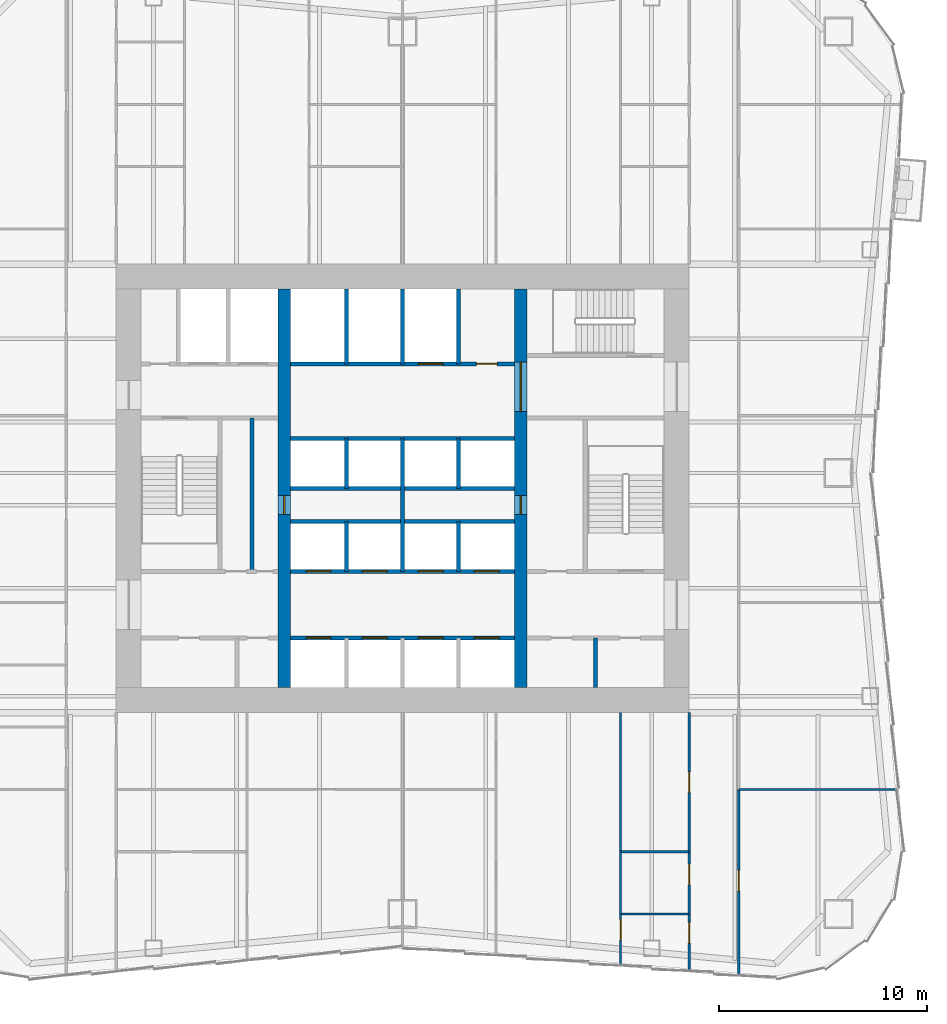
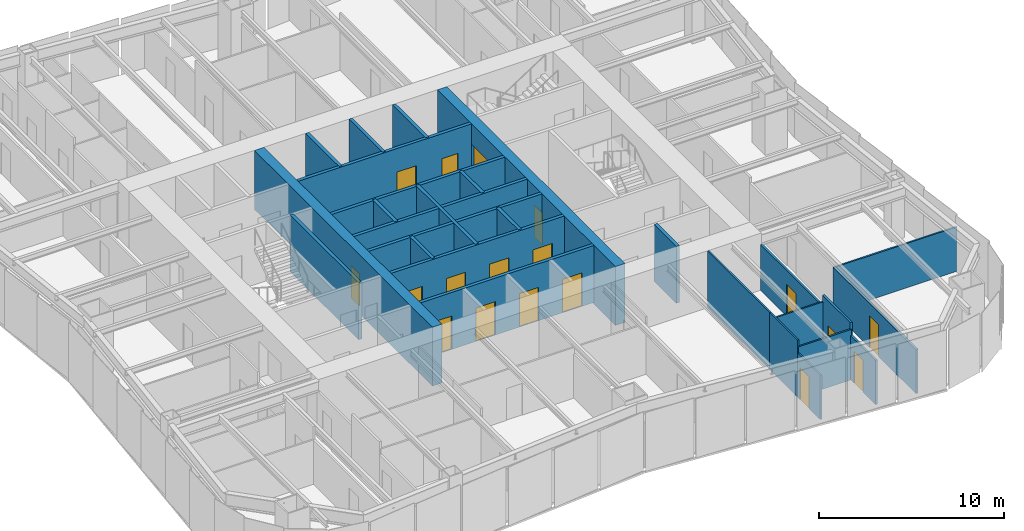
# One storey, part 5 of 9: 28 walls, 18 doors, 18 openings.
"""IFC4 building model written with IfcOpenShell, lengths in metres."""

from ifc_helpers import new_model, si_unit, direction, frame, frame_2d, origin, place, context, subcontext, project, spatial, rectangle, extrude, material, layer, layer_set, type_object, element, fill, save


model = new_model("IFC4")

# Units and contexts
model_context = context("Model", 3, precision=1e-05, world=origin(), true_north=direction((0.0, 1.0)))
body_context = subcontext(model_context, "Body", "Model", "MODEL_VIEW")
ifc_project = project(units=[si_unit("LENGTHUNIT", "METRE"), si_unit("AREAUNIT", "SQUARE_METRE"), si_unit("VOLUMEUNIT", "CUBIC_METRE"), si_unit("PLANEANGLEUNIT", "RADIAN"), si_unit("MASSUNIT", "GRAM", prefix="KILO")], contexts=[model_context])

# Site, building, storey
site_placement = place(None, origin())
site = spatial("IfcSite", under=ifc_project, at=site_placement, CompositionType="ELEMENT")
building_placement = place(site_placement, origin())
building = spatial("IfcBuilding", under=site, at=building_placement, Name="Verdant Reach Tower", CompositionType="ELEMENT")
storey_placement = place(building_placement, frame((0.0, 0.0, 110.0)))
storey = spatial("IfcBuildingStorey", under=building, at=storey_placement, Name="L25", CompositionType="ELEMENT", Elevation=110.0)

# Walls
ifc_material_1 = material(Name="Gypsum board on steel studs", Category="steel")
ifc_layer_1 = layer(ifc_material_1, 0.199951171875)
ifc_layer_set_1 = layer_set([ifc_layer_1], Name="CO-WALL-ROOM")
wall_type_1 = type_object("IfcWallType", Name="CO-WALL-ROOM", PredefinedType="PARTITIONING", material=ifc_layer_set_1)
wall_1_placement = place(storey_placement, frame((-7.260009765625, 24.0, 0.0), z_axis=(0.0, 0.0, 1.0), x_axis=(0.0, 1.0, 0.0)))
element("IfcWall", 1, at=wall_1_placement, inside=storey, type_object=wall_type_1, Name="Core partition, L25", PredefinedType="PARTITIONING", context=body_context, shape_type="SweptSolid", body=[
    extrude(rectangle(XDim=7.39990234375, YDim=0.199951171875, at=frame_2d((3.699951171875, 0.0))), origin(), (0.0, 0.0, 1.0), 3.75),
])
wall_2_placement = place(storey_placement, frame((9.300048828125, 18.39990234375, 0.0), z_axis=(0.0, 0.0, 1.0), x_axis=(0.0, 1.0, 0.0)))
element("IfcWall", 2, at=wall_2_placement, inside=storey, type_object=wall_type_1, Name="Core partition, L25", PredefinedType="PARTITIONING", context=body_context, shape_type="SweptSolid", body=[
    extrude(rectangle(XDim=2.400146484375, YDim=0.199951171875, at=frame_2d((1.2001953125, 0.0))), origin(), (0.0, 0.0, 1.0), 3.75),
])

# Wall, openings, doors
ifc_material_2 = material(Name="Concrete C40/50", Category="concrete")
ifc_layer_2 = layer(ifc_material_2, 0.199951171875)
ifc_layer_set_2 = layer_set([ifc_layer_2], Name="CO-WALL-SHAFT")
wall_type_2 = type_object("IfcWallType", Name="CO-WALL-SHAFT", PredefinedType="PARTITIONING", material=ifc_layer_set_2)
wall_3_placement = place(storey_placement, frame((-5.39990234375, 20.800048828125, 0.0), z_axis=(0.0, 0.0, 1.0), x_axis=(1.0, 0.0, 0.0)))
wall_3 = element("IfcWall", 3, at=wall_3_placement, inside=storey, type_object=wall_type_2, Name="Lift shaft wall, L25", PredefinedType="PARTITIONING", context=body_context, shape_type="SweptSolid", body=[
    extrude(rectangle(XDim=10.7998046875, YDim=0.199951171875, at=frame_2d((5.39990234375, 0.0))), origin(), (0.0, 0.0, 1.0), 3.75),
])
opening_1_placement = place(wall_3_placement, frame((0.75, 0.0, 0.0)))
opening_1 = element("IfcOpeningElement", 4, at=opening_1_placement, cuts=wall_3, Name="Opening LD-A1", PredefinedType="OPENING", context=body_context, shape_type="SweptSolid", body=[
    extrude(rectangle(XDim=1.199951171875, YDim=2.199951171875, at=frame_2d((0.60009765625, 1.10009765625))), frame((0.0, 0.10986328125, 0.0), z_axis=(0.0, -1.0, 0.0), x_axis=(1.0, 0.0, 0.0)), (0.0, 0.0, 1.0), 0.219970703125),
])
opening_2_placement = place(wall_3_placement, frame((3.449951171875, 0.0, 0.0)))
opening_2 = element("IfcOpeningElement", 5, at=opening_2_placement, cuts=wall_3, Name="Opening LD-A2", PredefinedType="OPENING", context=body_context, shape_type="SweptSolid", body=[
    extrude(rectangle(XDim=1.199951171875, YDim=2.199951171875, at=frame_2d((0.60009765625, 1.10009765625))), frame((0.0, 0.10986328125, 0.0), z_axis=(0.0, -1.0, 0.0), x_axis=(1.0, 0.0, 0.0)), (0.0, 0.0, 1.0), 0.219970703125),
])
opening_3_placement = place(wall_3_placement, frame((6.14990234375, 0.0, 0.0)))
opening_3 = element("IfcOpeningElement", 6, at=opening_3_placement, cuts=wall_3, Name="Opening LD-A3", PredefinedType="OPENING", context=body_context, shape_type="SweptSolid", body=[
    extrude(rectangle(XDim=1.199951171875, YDim=2.199951171875, at=frame_2d((0.60009765625, 1.10009765625))), frame((0.0, 0.10986328125, 0.0), z_axis=(0.0, -1.0, 0.0), x_axis=(1.0, 0.0, 0.0)), (0.0, 0.0, 1.0), 0.219970703125),
])
opening_4_placement = place(wall_3_placement, frame((8.85009765625, 0.0, 0.0)))
opening_4 = element("IfcOpeningElement", 7, at=opening_4_placement, cuts=wall_3, Name="Opening LD-A4", PredefinedType="OPENING", context=body_context, shape_type="SweptSolid", body=[
    extrude(rectangle(XDim=1.199951171875, YDim=2.199951171875, at=frame_2d((0.60009765625, 1.10009765625))), frame((0.0, 0.10986328125, 0.0), z_axis=(0.0, -1.0, 0.0), x_axis=(1.0, 0.0, 0.0)), (0.0, 0.0, 1.0), 0.219970703125),
])
ifc_material_3 = material(Name="Stainless steel", Category="steel")
door_type_1 = type_object("IfcDoorType", Name="CO-DOOR-LANDING", OperationType="SLIDING_TO_LEFT", PredefinedType="DOOR", material=ifc_material_3)
door_1_placement = place(opening_1_placement, origin())
door_1 = element("IfcDoor", 8, at=door_1_placement, inside=storey, type_object=door_type_1, Name="Landing door A1, L25", OperationType="SLIDING_TO_LEFT", OverallHeight=2.199951171875, OverallWidth=1.199951171875, PredefinedType="DOOR", context=body_context, shape_type="SweptSolid", body=[
    extrude(rectangle(XDim=1.199951171875, YDim=2.199951171875, at=frame_2d((0.60009765625, 1.10009765625))), frame((0.0, 0.02490234375, 0.0), z_axis=(0.0, -1.0, 0.0), x_axis=(1.0, 0.0, 0.0)), (0.0, 0.0, 1.0), 0.050048828125),
])
fill(opening_1, door_1)
door_2_placement = place(opening_2_placement, origin())
door_2 = element("IfcDoor", 9, at=door_2_placement, inside=storey, type_object=door_type_1, Name="Landing door A2, L25", OperationType="SLIDING_TO_LEFT", OverallHeight=2.199951171875, OverallWidth=1.199951171875, PredefinedType="DOOR", context=body_context, shape_type="SweptSolid", body=[
    extrude(rectangle(XDim=1.199951171875, YDim=2.199951171875, at=frame_2d((0.60009765625, 1.10009765625))), frame((0.0, 0.02490234375, 0.0), z_axis=(0.0, -1.0, 0.0), x_axis=(1.0, 0.0, 0.0)), (0.0, 0.0, 1.0), 0.050048828125),
])
fill(opening_2, door_2)
door_3_placement = place(opening_3_placement, origin())
door_3 = element("IfcDoor", 10, at=door_3_placement, inside=storey, type_object=door_type_1, Name="Landing door A3, L25", OperationType="SLIDING_TO_LEFT", OverallHeight=2.199951171875, OverallWidth=1.199951171875, PredefinedType="DOOR", context=body_context, shape_type="SweptSolid", body=[
    extrude(rectangle(XDim=1.199951171875, YDim=2.199951171875, at=frame_2d((0.60009765625, 1.10009765625))), frame((0.0, 0.02490234375, 0.0), z_axis=(0.0, -1.0, 0.0), x_axis=(1.0, 0.0, 0.0)), (0.0, 0.0, 1.0), 0.050048828125),
])
fill(opening_3, door_3)
door_4_placement = place(opening_4_placement, origin())
door_4 = element("IfcDoor", 11, at=door_4_placement, inside=storey, type_object=door_type_1, Name="Landing door A4, L25", OperationType="SLIDING_TO_LEFT", OverallHeight=2.199951171875, OverallWidth=1.199951171875, PredefinedType="DOOR", context=body_context, shape_type="SweptSolid", body=[
    extrude(rectangle(XDim=1.199951171875, YDim=2.199951171875, at=frame_2d((0.60009765625, 1.10009765625))), frame((0.0, 0.02490234375, 0.0), z_axis=(0.0, -1.0, 0.0), x_axis=(1.0, 0.0, 0.0)), (0.0, 0.0, 1.0), 0.050048828125),
])
fill(opening_4, door_4)

wall_4_placement = place(storey_placement, frame((-5.39990234375, 24.0, 0.0), z_axis=(0.0, 0.0, 1.0), x_axis=(1.0, 0.0, 0.0)))
wall_4 = element("IfcWall", 12, at=wall_4_placement, inside=storey, type_object=wall_type_2, Name="Lift shaft wall, L25", PredefinedType="PARTITIONING", context=body_context, shape_type="SweptSolid", body=[
    extrude(rectangle(XDim=10.7998046875, YDim=0.199951171875, at=frame_2d((5.39990234375, 0.0))), origin(), (0.0, 0.0, 1.0), 3.75),
])
opening_5_placement = place(wall_4_placement, frame((0.75, 0.0, 0.0)))
opening_5 = element("IfcOpeningElement", 13, at=opening_5_placement, cuts=wall_4, Name="Opening LD-A5", PredefinedType="OPENING", context=body_context, shape_type="SweptSolid", body=[
    extrude(rectangle(XDim=1.199951171875, YDim=2.199951171875, at=frame_2d((0.60009765625, 1.10009765625))), frame((0.0, 0.10986328125, 0.0), z_axis=(0.0, -1.0, 0.0), x_axis=(1.0, 0.0, 0.0)), (0.0, 0.0, 1.0), 0.219970703125),
])
opening_6_placement = place(wall_4_placement, frame((3.449951171875, 0.0, 0.0)))
opening_6 = element("IfcOpeningElement", 14, at=opening_6_placement, cuts=wall_4, Name="Opening LD-A6", PredefinedType="OPENING", context=body_context, shape_type="SweptSolid", body=[
    extrude(rectangle(XDim=1.199951171875, YDim=2.199951171875, at=frame_2d((0.60009765625, 1.10009765625))), frame((0.0, 0.10986328125, 0.0), z_axis=(0.0, -1.0, 0.0), x_axis=(1.0, 0.0, 0.0)), (0.0, 0.0, 1.0), 0.219970703125),
])
opening_7_placement = place(wall_4_placement, frame((6.14990234375, 0.0, 0.0)))
opening_7 = element("IfcOpeningElement", 15, at=opening_7_placement, cuts=wall_4, Name="Opening LD-A7", PredefinedType="OPENING", context=body_context, shape_type="SweptSolid", body=[
    extrude(rectangle(XDim=1.199951171875, YDim=2.199951171875, at=frame_2d((0.60009765625, 1.10009765625))), frame((0.0, 0.10986328125, 0.0), z_axis=(0.0, -1.0, 0.0), x_axis=(1.0, 0.0, 0.0)), (0.0, 0.0, 1.0), 0.219970703125),
])
opening_8_placement = place(wall_4_placement, frame((8.85009765625, 0.0, 0.0)))
opening_8 = element("IfcOpeningElement", 16, at=opening_8_placement, cuts=wall_4, Name="Opening LD-A8", PredefinedType="OPENING", context=body_context, shape_type="SweptSolid", body=[
    extrude(rectangle(XDim=1.199951171875, YDim=2.199951171875, at=frame_2d((0.60009765625, 1.10009765625))), frame((0.0, 0.10986328125, 0.0), z_axis=(0.0, -1.0, 0.0), x_axis=(1.0, 0.0, 0.0)), (0.0, 0.0, 1.0), 0.219970703125),
])
door_5_placement = place(opening_5_placement, origin())
door_5 = element("IfcDoor", 17, at=door_5_placement, inside=storey, type_object=door_type_1, Name="Landing door A5, L25", OperationType="SLIDING_TO_LEFT", OverallHeight=2.199951171875, OverallWidth=1.199951171875, PredefinedType="DOOR", context=body_context, shape_type="SweptSolid", body=[
    extrude(rectangle(XDim=1.199951171875, YDim=2.199951171875, at=frame_2d((0.60009765625, 1.10009765625))), frame((0.0, 0.02490234375, 0.0), z_axis=(0.0, -1.0, 0.0), x_axis=(1.0, 0.0, 0.0)), (0.0, 0.0, 1.0), 0.050048828125),
])
fill(opening_5, door_5)
door_6_placement = place(opening_6_placement, origin())
door_6 = element("IfcDoor", 18, at=door_6_placement, inside=storey, type_object=door_type_1, Name="Landing door A6, L25", OperationType="SLIDING_TO_LEFT", OverallHeight=2.199951171875, OverallWidth=1.199951171875, PredefinedType="DOOR", context=body_context, shape_type="SweptSolid", body=[
    extrude(rectangle(XDim=1.199951171875, YDim=2.199951171875, at=frame_2d((0.60009765625, 1.10009765625))), frame((0.0, 0.02490234375, 0.0), z_axis=(0.0, -1.0, 0.0), x_axis=(1.0, 0.0, 0.0)), (0.0, 0.0, 1.0), 0.050048828125),
])
fill(opening_6, door_6)
door_7_placement = place(opening_7_placement, origin())
door_7 = element("IfcDoor", 19, at=door_7_placement, inside=storey, type_object=door_type_1, Name="Landing door A7, L25", OperationType="SLIDING_TO_LEFT", OverallHeight=2.199951171875, OverallWidth=1.199951171875, PredefinedType="DOOR", context=body_context, shape_type="SweptSolid", body=[
    extrude(rectangle(XDim=1.199951171875, YDim=2.199951171875, at=frame_2d((0.60009765625, 1.10009765625))), frame((0.0, 0.02490234375, 0.0), z_axis=(0.0, -1.0, 0.0), x_axis=(1.0, 0.0, 0.0)), (0.0, 0.0, 1.0), 0.050048828125),
])
fill(opening_7, door_7)
door_8_placement = place(opening_8_placement, origin())
door_8 = element("IfcDoor", 20, at=door_8_placement, inside=storey, type_object=door_type_1, Name="Landing door A8, L25", OperationType="SLIDING_TO_LEFT", OverallHeight=2.199951171875, OverallWidth=1.199951171875, PredefinedType="DOOR", context=body_context, shape_type="SweptSolid", body=[
    extrude(rectangle(XDim=1.199951171875, YDim=2.199951171875, at=frame_2d((0.60009765625, 1.10009765625))), frame((0.0, 0.02490234375, 0.0), z_axis=(0.0, -1.0, 0.0), x_axis=(1.0, 0.0, 0.0)), (0.0, 0.0, 1.0), 0.050048828125),
])
fill(opening_8, door_8)

# Walls
for number, where, z_axis, x_axis, name in (
    (21, (-5.39990234375, 26.39990234375, 0.0), (0.0, 0.0, 1.0), (1.0, 0.0, 0.0), "Lift shaft wall, L25"),
    (22, (-5.39990234375, 28.0, 0.0), (0.0, 0.0, 1.0), (1.0, 0.0, 0.0), "Lift shaft wall, L25"),
    (23, (-5.39990234375, 30.39990234375, 0.0), (0.0, 0.0, 1.0), (1.0, 0.0, 0.0), "Lift shaft wall, L25"),
):
    element("IfcWall", number, at=place(storey_placement, frame(where, z_axis=z_axis, x_axis=x_axis)), inside=storey, type_object=wall_type_2, Name=name, PredefinedType="PARTITIONING", context=body_context, shape_type="SweptSolid", body=[
        extrude(rectangle(XDim=10.7998046875, YDim=0.199951171875, at=frame_2d((5.39990234375, 0.0))), origin(), (0.0, 0.0, 1.0), 3.75),
    ])

# Wall, openings, doors
wall_5_placement = place(storey_placement, frame((-5.39990234375, 34.0, 0.0), z_axis=(0.0, 0.0, 1.0), x_axis=(1.0, 0.0, 0.0)))
wall_5 = element("IfcWall", 24, at=wall_5_placement, inside=storey, type_object=wall_type_2, Name="Lift shaft wall, L25", PredefinedType="PARTITIONING", context=body_context, shape_type="SweptSolid", body=[
    extrude(rectangle(XDim=10.7998046875, YDim=0.199951171875, at=frame_2d((5.39990234375, 0.0))), origin(), (0.0, 0.0, 1.0), 3.75),
])
opening_9_placement = place(wall_5_placement, frame((6.14990234375, 0.0, 0.0)))
opening_9 = element("IfcOpeningElement", 25, at=opening_9_placement, cuts=wall_5, Name="Opening LD-SL1", PredefinedType="OPENING", context=body_context, shape_type="SweptSolid", body=[
    extrude(rectangle(XDim=1.199951171875, YDim=2.199951171875, at=frame_2d((0.60009765625, 1.10009765625))), frame((0.0, 0.10986328125, 0.0), z_axis=(0.0, -1.0, 0.0), x_axis=(1.0, 0.0, 0.0)), (0.0, 0.0, 1.0), 0.219970703125),
])
opening_10_placement = place(wall_5_placement, frame((8.949951171875, 0.0, 0.0)))
opening_10 = element("IfcOpeningElement", 26, at=opening_10_placement, cuts=wall_5, Name="Opening CD", PredefinedType="OPENING", context=body_context, shape_type="SweptSolid", body=[
    extrude(rectangle(XDim=1.0, YDim=2.10009765625, at=frame_2d((0.5, 1.050048828125))), frame((0.0, 0.10986328125, 0.0), z_axis=(0.0, -1.0, 0.0), x_axis=(1.0, 0.0, 0.0)), (0.0, 0.0, 1.0), 0.219970703125),
])
door_9_placement = place(opening_9_placement, origin())
door_9 = element("IfcDoor", 27, at=door_9_placement, inside=storey, type_object=door_type_1, Name="Landing door SL1, L25", OperationType="SLIDING_TO_LEFT", OverallHeight=2.199951171875, OverallWidth=1.199951171875, PredefinedType="DOOR", context=body_context, shape_type="SweptSolid", body=[
    extrude(rectangle(XDim=1.199951171875, YDim=2.199951171875, at=frame_2d((0.60009765625, 1.10009765625))), frame((0.0, 0.02490234375, 0.0), z_axis=(0.0, -1.0, 0.0), x_axis=(1.0, 0.0, 0.0)), (0.0, 0.0, 1.0), 0.050048828125),
])
fill(opening_9, door_9)
ifc_material_4 = material(Name="Timber", Category="wood")
door_type_2 = type_object("IfcDoorType", Name="CO-DOOR-ROOM", OperationType="NOTDEFINED", PredefinedType="DOOR", material=ifc_material_4)
door_10_placement = place(opening_10_placement, origin())
door_10 = element("IfcDoor", 28, at=door_10_placement, inside=storey, type_object=door_type_2, Name="Core room door, L25", OperationType="SINGLE_SWING_LEFT", OverallHeight=2.10009765625, OverallWidth=1.0, PredefinedType="DOOR", context=body_context, shape_type="SweptSolid", body=[
    extrude(rectangle(XDim=1.0, YDim=2.10009765625, at=frame_2d((0.5, 1.050048828125))), frame((0.0, 0.02490234375, 0.0), z_axis=(0.0, -1.0, 0.0), x_axis=(1.0, 0.0, 0.0)), (0.0, 0.0, 1.0), 0.050048828125),
])
fill(opening_10, door_10)

# Walls
for number, where, z_axis, x_axis, name in (
    (29, (-2.699951171875, 24.0, 0.0), (0.0, 0.0, 1.0), (0.0, 1.0, 0.0), "Lift shaft wall, L25"),
    (30, (-2.699951171875, 28.0, 0.0), (0.0, 0.0, 1.0), (0.0, 1.0, 0.0), "Lift shaft wall, L25"),
):
    element("IfcWall", number, at=place(storey_placement, frame(where, z_axis=z_axis, x_axis=x_axis)), inside=storey, type_object=wall_type_2, Name=name, PredefinedType="PARTITIONING", context=body_context, shape_type="SweptSolid", body=[
        extrude(rectangle(XDim=2.39990234375, YDim=0.199951171875, at=frame_2d((1.199951171875, 0.0))), origin(), (0.0, 0.0, 1.0), 3.75),
    ])
wall_6_placement = place(storey_placement, frame((-2.699951171875, 34.0, 0.0), z_axis=(0.0, 0.0, 1.0), x_axis=(0.0, 1.0, 0.0)))
element("IfcWall", 31, at=wall_6_placement, inside=storey, type_object=wall_type_2, Name="Lift shaft wall, L25", PredefinedType="PARTITIONING", context=body_context, shape_type="SweptSolid", body=[
    extrude(rectangle(XDim=3.60009765625, YDim=0.199951171875, at=frame_2d((1.800048828125, 0.0))), origin(), (0.0, 0.0, 1.0), 3.75),
])
wall_7_placement = place(storey_placement, frame((0.0, 24.0, 0.0), z_axis=(0.0, 0.0, 1.0), x_axis=(0.0, 1.0, 0.0)))
element("IfcWall", 32, at=wall_7_placement, inside=storey, type_object=wall_type_2, Name="Lift shaft wall, L25", PredefinedType="PARTITIONING", context=body_context, shape_type="SweptSolid", body=[
    extrude(rectangle(XDim=6.39990234375, YDim=0.199951171875, at=frame_2d((3.199951171875, 0.0))), origin(), (0.0, 0.0, 1.0), 3.75),
])
wall_8_placement = place(storey_placement, frame((0.0, 34.0, 0.0), z_axis=(0.0, 0.0, 1.0), x_axis=(0.0, 1.0, 0.0)))
element("IfcWall", 33, at=wall_8_placement, inside=storey, type_object=wall_type_2, Name="Lift shaft wall, L25", PredefinedType="PARTITIONING", context=body_context, shape_type="SweptSolid", body=[
    extrude(rectangle(XDim=3.60009765625, YDim=0.199951171875, at=frame_2d((1.800048828125, 0.0))), origin(), (0.0, 0.0, 1.0), 3.75),
])
for number, where, z_axis, x_axis, name in (
    (34, (2.699951171875, 24.0, 0.0), (0.0, 0.0, 1.0), (0.0, 1.0, 0.0), "Lift shaft wall, L25"),
    (35, (2.699951171875, 28.0, 0.0), (0.0, 0.0, 1.0), (0.0, 1.0, 0.0), "Lift shaft wall, L25"),
):
    element("IfcWall", number, at=place(storey_placement, frame(where, z_axis=z_axis, x_axis=x_axis)), inside=storey, type_object=wall_type_2, Name=name, PredefinedType="PARTITIONING", context=body_context, shape_type="SweptSolid", body=[
        extrude(rectangle(XDim=2.39990234375, YDim=0.199951171875, at=frame_2d((1.199951171875, 0.0))), origin(), (0.0, 0.0, 1.0), 3.75),
    ])
wall_9_placement = place(storey_placement, frame((2.699951171875, 34.0, 0.0), z_axis=(0.0, 0.0, 1.0), x_axis=(0.0, 1.0, 0.0)))
element("IfcWall", 36, at=wall_9_placement, inside=storey, type_object=wall_type_2, Name="Lift shaft wall, L25", PredefinedType="PARTITIONING", context=body_context, shape_type="SweptSolid", body=[
    extrude(rectangle(XDim=3.60009765625, YDim=0.199951171875, at=frame_2d((1.800048828125, 0.0))), origin(), (0.0, 0.0, 1.0), 3.75),
])
ifc_layer_3 = layer(ifc_material_1, 0.10009765625)
ifc_layer_set_3 = layer_set([ifc_layer_3], Name="FL-W1 Partition 100")
wall_type_3 = type_object("IfcWallType", Name="FL-W1 Partition 100", PredefinedType="PARTITIONING", material=ifc_layer_set_3)
wall_10_placement = place(storey_placement, frame((23.83349609375, 13.5, 0.0), z_axis=(0.0, 0.0, 1.0), x_axis=(-1.0, 0.0, 0.0)))
element("IfcWall", 37, at=wall_10_placement, inside=storey, type_object=wall_type_3, Name="Partition 25.33", PredefinedType="PARTITIONING", context=body_context, shape_type="SweptSolid", body=[
    extrude(rectangle(XDim=7.633544921875, YDim=0.10009765625, at=frame_2d((3.81689453125, 0.0))), origin(), (0.0, 0.0, 1.0), 2.919921875),
])
wall_11_placement = place(storey_placement, frame((13.800048828125, 7.5, 0.0), z_axis=(0.0, 0.0, 1.0), x_axis=(-1.0, 0.0, 0.0)))
element("IfcWall", 38, at=wall_11_placement, inside=storey, type_object=wall_type_3, Name="Partition 25.46", PredefinedType="PARTITIONING", context=body_context, shape_type="SweptSolid", body=[
    extrude(rectangle(XDim=3.300048828125, YDim=0.10009765625, at=frame_2d((1.64990234375, 0.0))), origin(), (0.0, 0.0, 1.0), 3.320068359375),
])

# Wall, opening, door
wall_12_placement = place(storey_placement, frame((10.5, 5.044921875, 0.0), z_axis=(0.0, 0.0, 1.0), x_axis=(0.0, 1.0, 0.0)))
wall_12 = element("IfcWall", 39, at=wall_12_placement, inside=storey, type_object=wall_type_3, Name="Partition 25.47", PredefinedType="PARTITIONING", context=body_context, shape_type="SweptSolid", body=[
    extrude(rectangle(XDim=2.458984375, YDim=0.10009765625, at=frame_2d((1.2294921875, 0.0))), origin(), (0.0, 0.0, 1.0), 2.919921875),
])
opening_11_placement = place(wall_12_placement, frame((1.194580078125, 0.0, 0.0)))
opening_11 = element("IfcOpeningElement", 40, at=opening_11_placement, cuts=wall_12, Name="Opening D3", PredefinedType="OPENING", context=body_context, shape_type="SweptSolid", body=[
    extrude(rectangle(XDim=1.0, YDim=2.10009765625, at=frame_2d((0.5, 1.050048828125))), frame((0.0, 0.06005859375, 0.0), z_axis=(0.0, -1.0, 0.0), x_axis=(1.0, 0.0, 0.0)), (0.0, 0.0, 1.0), 0.1201171875),
])
ifc_material_5 = material(Name="Painted timber door leaf", Category="wood")
door_type_3 = type_object("IfcDoorType", Name="FL-D3 Door 1000x2100", OperationType="NOTDEFINED", PredefinedType="DOOR", material=ifc_material_5)
door_11_placement = place(opening_11_placement, origin())
door_11 = element("IfcDoor", 41, at=door_11_placement, inside=storey, type_object=door_type_3, Name="Door 25-029", OperationType="SINGLE_SWING_RIGHT", OverallHeight=2.10009765625, OverallWidth=1.0, PredefinedType="DOOR", context=body_context, shape_type="SweptSolid", body=[
    extrude(rectangle(XDim=1.0, YDim=2.10009765625, at=frame_2d((0.5, 1.050048828125))), frame((0.0, 0.02490234375, 0.0), z_axis=(0.0, -1.0, 0.0), x_axis=(1.0, 0.0, 0.0)), (0.0, 0.0, 1.0), 0.050048828125),
])
fill(opening_11, door_11)

# Walls
wall_13_placement = place(storey_placement, frame((13.800048828125, 10.5, 0.0), z_axis=(0.0, 0.0, 1.0), x_axis=(-1.0, 0.0, 0.0)))
element("IfcWall", 42, at=wall_13_placement, inside=storey, type_object=wall_type_3, Name="Partition 25.48", PredefinedType="PARTITIONING", context=body_context, shape_type="SweptSolid", body=[
    extrude(rectangle(XDim=3.300048828125, YDim=0.10009765625, at=frame_2d((1.64990234375, 0.0))), origin(), (0.0, 0.0, 1.0), 3.320068359375),
])
wall_14_placement = place(storey_placement, frame((10.5, 10.50390625, 0.0), z_axis=(0.0, 0.0, 1.0), x_axis=(0.0, -1.0, 0.0)))
element("IfcWall", 43, at=wall_14_placement, inside=storey, type_object=wall_type_3, Name="Partition 25.49", PredefinedType="PARTITIONING", context=body_context, shape_type="SweptSolid", body=[
    extrude(rectangle(XDim=3.0078125, YDim=0.10009765625, at=frame_2d((1.50390625, 0.0))), origin(), (0.0, 0.0, 1.0), 3.75),
])
wall_15_placement = place(storey_placement, frame((10.5, 17.199951171875, 0.0), z_axis=(0.0, 0.0, 1.0), x_axis=(0.0, -1.0, 0.0)))
element("IfcWall", 44, at=wall_15_placement, inside=storey, type_object=wall_type_3, Name="Partition 25.50", PredefinedType="PARTITIONING", context=body_context, shape_type="SweptSolid", body=[
    extrude(rectangle(XDim=6.703857421875, YDim=0.10009765625, at=frame_2d((3.35205078125, 0.0))), origin(), (0.0, 0.0, 1.0), 3.75),
])

# Wall, opening, door
ifc_material_6 = material(Name="Gypsum board on steel studs, fire rated", Category="steel")
ifc_layer_4 = layer(ifc_material_6, 0.125)
ifc_layer_set_4 = layer_set([ifc_layer_4], Name="FL-W2 Corridor wall 125")
wall_type_4 = type_object("IfcWallType", Name="FL-W2 Corridor wall 125", PredefinedType="PARTITIONING", material=ifc_layer_set_4)
wall_16_placement = place(storey_placement, frame((16.199951171875, 13.5, 0.0), z_axis=(0.0, 0.0, 1.0), x_axis=(0.0, -1.0, 0.0)))
wall_16 = element("IfcWall", 45, at=wall_16_placement, inside=storey, type_object=wall_type_4, Name="Partition 25.15", PredefinedType="PARTITIONING", context=body_context, shape_type="SweptSolid", body=[
    extrude(rectangle(XDim=8.929931640625, YDim=0.125, at=frame_2d((4.46484375, 0.0))), origin(), (0.0, 0.0, 1.0), 2.919921875),
])
opening_12_placement = place(wall_16_placement, frame((3.89990234375, 0.0, 0.0)))
opening_12 = element("IfcOpeningElement", 46, at=opening_12_placement, cuts=wall_16, Name="Opening D2", PredefinedType="OPENING", context=body_context, shape_type="SweptSolid", body=[
    extrude(rectangle(XDim=1.0, YDim=2.10009765625, at=frame_2d((0.5, 1.050048828125))), frame((0.0, 0.072509765625, 0.0), z_axis=(0.0, -1.0, 0.0), x_axis=(1.0, 0.0, 0.0)), (0.0, 0.0, 1.0), 0.14501953125),
])
ifc_material_7 = material(Name="Timber door leaf, fire rated", Category="wood")
door_type_4 = type_object("IfcDoorType", Name="FL-D2 Entrance door 1000x2100 FD30", OperationType="NOTDEFINED", PredefinedType="DOOR", material=ifc_material_7)
door_12_placement = place(opening_12_placement, origin())
door_12 = element("IfcDoor", 47, at=door_12_placement, inside=storey, type_object=door_type_4, Name="Door 25-014", OperationType="SINGLE_SWING_LEFT", OverallHeight=2.10009765625, OverallWidth=1.0, PredefinedType="DOOR", context=body_context, shape_type="SweptSolid", body=[
    extrude(rectangle(XDim=1.0, YDim=2.10009765625, at=frame_2d((0.5, 1.050048828125))), frame((0.0, 0.02490234375, 0.0), z_axis=(0.0, -1.0, 0.0), x_axis=(1.0, 0.0, 0.0)), (0.0, 0.0, 1.0), 0.050048828125),
])
fill(opening_12, door_12)

wall_17_placement = place(storey_placement, frame((13.800048828125, 4.77001953125, 0.0), z_axis=(0.0, 0.0, 1.0), x_axis=(0.0, 1.0, 0.0)))
wall_17 = element("IfcWall", 48, at=wall_17_placement, inside=storey, type_object=wall_type_4, Name="Partition 25.21", PredefinedType="PARTITIONING", context=body_context, shape_type="SweptSolid", body=[
    extrude(rectangle(XDim=2.72998046875, YDim=0.125, at=frame_2d((1.364990234375, 0.0))), origin(), (0.0, 0.0, 1.0), 2.919921875),
])
opening_13_placement = place(wall_17_placement, frame((1.330078125, 0.0, 0.0)))
opening_13 = element("IfcOpeningElement", 49, at=opening_13_placement, cuts=wall_17, Name="Opening D2", PredefinedType="OPENING", context=body_context, shape_type="SweptSolid", body=[
    extrude(rectangle(XDim=1.0, YDim=2.10009765625, at=frame_2d((0.5, 1.050048828125))), frame((0.0, 0.072509765625, 0.0), z_axis=(0.0, -1.0, 0.0), x_axis=(1.0, 0.0, 0.0)), (0.0, 0.0, 1.0), 0.14501953125),
])
door_13_placement = place(opening_13_placement, origin())
door_13 = element("IfcDoor", 50, at=door_13_placement, inside=storey, type_object=door_type_4, Name="Door 25-020", OperationType="SINGLE_SWING_RIGHT", OverallHeight=2.10009765625, OverallWidth=1.0, PredefinedType="DOOR", context=body_context, shape_type="SweptSolid", body=[
    extrude(rectangle(XDim=1.0, YDim=2.10009765625, at=frame_2d((0.5, 1.050048828125))), frame((0.0, 0.02490234375, 0.0), z_axis=(0.0, -1.0, 0.0), x_axis=(1.0, 0.0, 0.0)), (0.0, 0.0, 1.0), 0.050048828125),
])
fill(opening_13, door_13)

wall_18_placement = place(storey_placement, frame((13.800048828125, 7.5, 0.0), z_axis=(0.0, 0.0, 1.0), x_axis=(0.0, 1.0, 0.0)))
wall_18 = element("IfcWall", 51, at=wall_18_placement, inside=storey, type_object=wall_type_4, Name="Partition 25.22", PredefinedType="PARTITIONING", context=body_context, shape_type="SweptSolid", body=[
    extrude(rectangle(XDim=3.0, YDim=0.125, at=frame_2d((1.5, 0.0))), origin(), (0.0, 0.0, 1.0), 3.75),
])
opening_14_placement = place(wall_18_placement, frame((1.39990234375, 0.0, 0.0)))
opening_14 = element("IfcOpeningElement", 52, at=opening_14_placement, cuts=wall_18, Name="Opening D2", PredefinedType="OPENING", context=body_context, shape_type="SweptSolid", body=[
    extrude(rectangle(XDim=1.0, YDim=2.10009765625, at=frame_2d((0.5, 1.050048828125))), frame((0.0, 0.072509765625, 0.0), z_axis=(0.0, -1.0, 0.0), x_axis=(1.0, 0.0, 0.0)), (0.0, 0.0, 1.0), 0.14501953125),
])
door_14_placement = place(opening_14_placement, origin())
door_14 = element("IfcDoor", 53, at=door_14_placement, inside=storey, type_object=door_type_4, Name="Door 25-021", OperationType="SINGLE_SWING_RIGHT", OverallHeight=2.10009765625, OverallWidth=1.0, PredefinedType="DOOR", context=body_context, shape_type="SweptSolid", body=[
    extrude(rectangle(XDim=1.0, YDim=2.10009765625, at=frame_2d((0.5, 1.050048828125))), frame((0.0, 0.02490234375, 0.0), z_axis=(0.0, -1.0, 0.0), x_axis=(1.0, 0.0, 0.0)), (0.0, 0.0, 1.0), 0.050048828125),
])
fill(opening_14, door_14)

wall_19_placement = place(storey_placement, frame((13.800048828125, 10.5, 0.0), z_axis=(0.0, 0.0, 1.0), x_axis=(0.0, 1.0, 0.0)))
wall_19 = element("IfcWall", 54, at=wall_19_placement, inside=storey, type_object=wall_type_4, Name="Partition 25.23", PredefinedType="PARTITIONING", context=body_context, shape_type="SweptSolid", body=[
    extrude(rectangle(XDim=6.699951171875, YDim=0.125, at=frame_2d((3.35009765625, 0.0))), origin(), (0.0, 0.0, 1.0), 3.02001953125),
])
opening_15_placement = place(wall_19_placement, frame((2.85009765625, 0.0, 0.0)))
opening_15 = element("IfcOpeningElement", 55, at=opening_15_placement, cuts=wall_19, Name="Opening D2", PredefinedType="OPENING", context=body_context, shape_type="SweptSolid", body=[
    extrude(rectangle(XDim=1.0, YDim=2.10009765625, at=frame_2d((0.5, 1.050048828125))), frame((0.0, 0.072509765625, 0.0), z_axis=(0.0, -1.0, 0.0), x_axis=(1.0, 0.0, 0.0)), (0.0, 0.0, 1.0), 0.14501953125),
])
door_15_placement = place(opening_15_placement, origin())
door_15 = element("IfcDoor", 56, at=door_15_placement, inside=storey, type_object=door_type_4, Name="Door 25-022", OperationType="SINGLE_SWING_RIGHT", OverallHeight=2.10009765625, OverallWidth=1.0, PredefinedType="DOOR", context=body_context, shape_type="SweptSolid", body=[
    extrude(rectangle(XDim=1.0, YDim=2.10009765625, at=frame_2d((0.5, 1.050048828125))), frame((0.0, 0.02490234375, 0.0), z_axis=(0.0, -1.0, 0.0), x_axis=(1.0, 0.0, 0.0)), (0.0, 0.0, 1.0), 0.050048828125),
])
fill(opening_15, door_15)

ifc_material_8 = material(Name="Concrete C70/85", Category="concrete")
ifc_layer_5 = layer(ifc_material_8, 0.60009765625)
ifc_layer_set_5 = layer_set([ifc_layer_5], Name="ST-CORE-WALL-600")
wall_type_5 = type_object("IfcWallType", Name="ST-CORE-WALL-600", PredefinedType="SHEAR", material=ifc_layer_set_5)
wall_20_placement = place(storey_placement, frame((-5.699951171875, 18.39990234375, -0.1298828125), z_axis=(0.0, 0.0, 1.0), x_axis=(0.0, 1.0, 0.0)))
wall_20 = element("IfcWall", 57, at=wall_20_placement, inside=storey, type_object=wall_type_5, Name="Core wall XW, L25", PredefinedType="SHEAR", context=body_context, shape_type="SweptSolid", body=[
    extrude(rectangle(XDim=19.2001953125, YDim=0.60009765625, at=frame_2d((9.60009765625, 0.0))), origin(), (0.0, 0.0, 1.0), 3.8798828125),
])
opening_16_placement = place(wall_20_placement, frame((8.35009765625, 0.0, 0.1298828125)))
opening_16 = element("IfcOpeningElement", 58, at=opening_16_placement, cuts=wall_20, Name="Opening RD", PredefinedType="OPENING", context=body_context, shape_type="SweptSolid", body=[
    extrude(rectangle(XDim=0.89990234375, YDim=2.10009765625, at=frame_2d((0.449951171875, 1.050048828125))), frame((0.0, 0.31005859375, 0.0), z_axis=(0.0, -1.0, 0.0), x_axis=(1.0, 0.0, 0.0)), (0.0, 0.0, 1.0), 0.6201171875),
])
ifc_material_9 = material(Name="Steel", Category="steel")
door_type_5 = type_object("IfcDoorType", Name="CO-DOOR-RISER", OperationType="NOTDEFINED", PredefinedType="DOOR", material=ifc_material_9)
door_16_placement = place(opening_16_placement, origin())
door_16 = element("IfcDoor", 59, at=door_16_placement, inside=storey, type_object=door_type_5, Name="Riser door, L25", OperationType="SINGLE_SWING_LEFT", OverallHeight=2.10009765625, OverallWidth=0.89990234375, PredefinedType="DOOR", context=body_context, shape_type="SweptSolid", body=[
    extrude(rectangle(XDim=0.89990234375, YDim=2.10009765625, at=frame_2d((0.449951171875, 1.050048828125))), frame((0.0, 0.02490234375, 0.0), z_axis=(0.0, -1.0, 0.0), x_axis=(1.0, 0.0, 0.0)), (0.0, 0.0, 1.0), 0.050048828125),
])
fill(opening_16, door_16)

# Wall, openings, doors
wall_21_placement = place(storey_placement, frame((5.699951171875, 18.39990234375, -0.1298828125), z_axis=(0.0, 0.0, 1.0), x_axis=(0.0, 1.0, 0.0)))
wall_21 = element("IfcWall", 60, at=wall_21_placement, inside=storey, type_object=wall_type_5, Name="Core wall XE, L25", PredefinedType="SHEAR", context=body_context, shape_type="SweptSolid", body=[
    extrude(rectangle(XDim=19.2001953125, YDim=0.60009765625, at=frame_2d((9.60009765625, 0.0))), origin(), (0.0, 0.0, 1.0), 3.8798828125),
])
opening_17_placement = place(wall_21_placement, frame((8.35009765625, 0.0, 0.1298828125)))
opening_17 = element("IfcOpeningElement", 61, at=opening_17_placement, cuts=wall_21, Name="Opening RD", PredefinedType="OPENING", context=body_context, shape_type="SweptSolid", body=[
    extrude(rectangle(XDim=0.89990234375, YDim=2.10009765625, at=frame_2d((0.449951171875, 1.050048828125))), frame((0.0, 0.31005859375, 0.0), z_axis=(0.0, -1.0, 0.0), x_axis=(1.0, 0.0, 0.0)), (0.0, 0.0, 1.0), 0.6201171875),
])
opening_18_placement = place(wall_21_placement, frame((13.300048828125, 0.0, 0.1298828125)))
opening_18 = element("IfcOpeningElement", 62, at=opening_18_placement, cuts=wall_21, Name="Opening LB", PredefinedType="OPENING", context=body_context, shape_type="SweptSolid", body=[
    extrude(rectangle(XDim=2.39990234375, YDim=2.39990234375, at=frame_2d((1.199951171875, 1.199951171875))), frame((0.0, 0.31005859375, 0.0), z_axis=(0.0, -1.0, 0.0), x_axis=(1.0, 0.0, 0.0)), (0.0, 0.0, 1.0), 0.6201171875),
])
ifc_material_10 = material(Name="Glass and steel", Category="steel")
door_type_6 = type_object("IfcDoorType", Name="CO-DOOR-LOBBY", OperationType="DOUBLE_DOOR_SINGLE_SWING", PredefinedType="DOOR", material=ifc_material_10)
door_17_placement = place(opening_18_placement, origin())
door_17 = element("IfcDoor", 63, at=door_17_placement, inside=storey, type_object=door_type_6, Name="Core entrance door, L25", OperationType="DOUBLE_DOOR_SINGLE_SWING", OverallHeight=2.39990234375, OverallWidth=2.39990234375, PredefinedType="DOOR", context=body_context, shape_type="SweptSolid", body=[
    extrude(rectangle(XDim=2.39990234375, YDim=2.39990234375, at=frame_2d((1.199951171875, 1.199951171875))), frame((0.0, 0.02490234375, 0.0), z_axis=(0.0, -1.0, 0.0), x_axis=(1.0, 0.0, 0.0)), (0.0, 0.0, 1.0), 0.050048828125),
])
fill(opening_18, door_17)
door_18_placement = place(opening_17_placement, origin())
door_18 = element("IfcDoor", 64, at=door_18_placement, inside=storey, type_object=door_type_5, Name="Riser door, L25", OperationType="SINGLE_SWING_RIGHT", OverallHeight=2.10009765625, OverallWidth=0.89990234375, PredefinedType="DOOR", context=body_context, shape_type="SweptSolid", body=[
    extrude(rectangle(XDim=0.89990234375, YDim=2.10009765625, at=frame_2d((0.449951171875, 1.050048828125))), frame((0.0, 0.02490234375, 0.0), z_axis=(0.0, -1.0, 0.0), x_axis=(1.0, 0.0, 0.0)), (0.0, 0.0, 1.0), 0.050048828125),
])
fill(opening_17, door_18)

save(model, "model.ifc")
